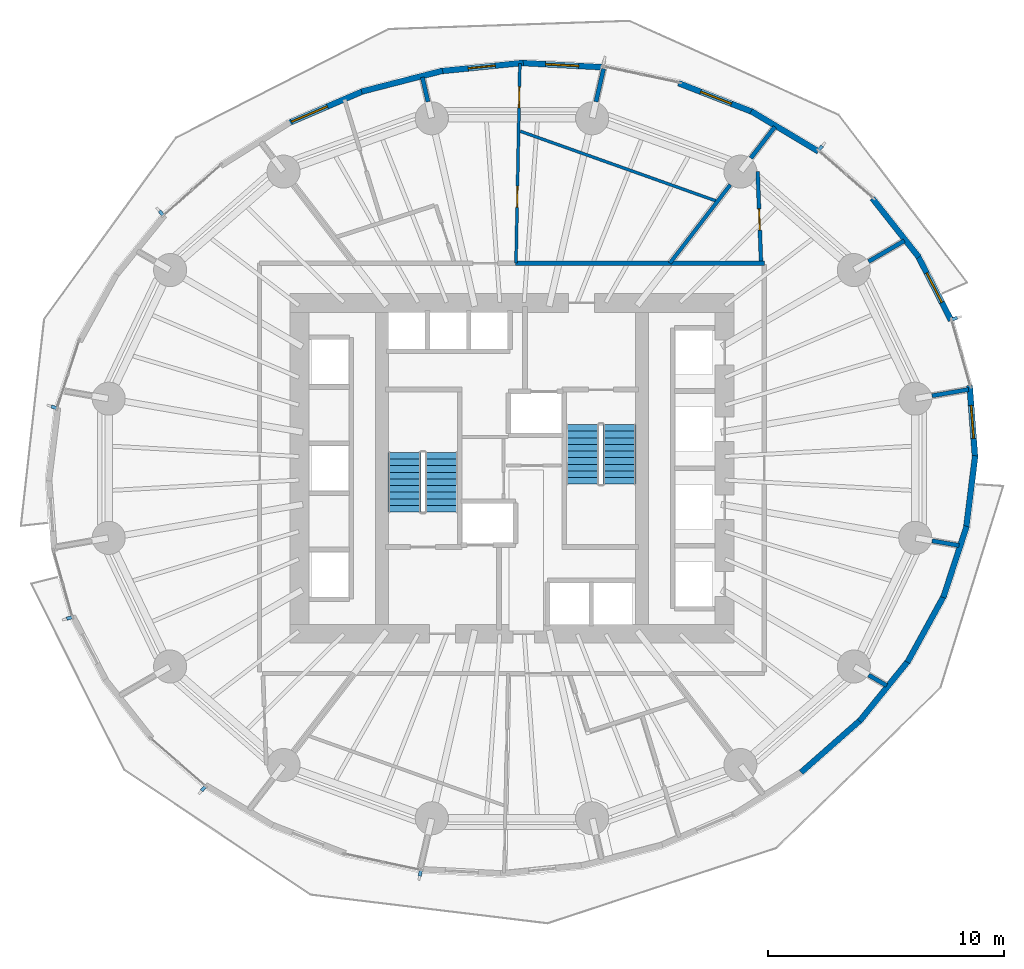
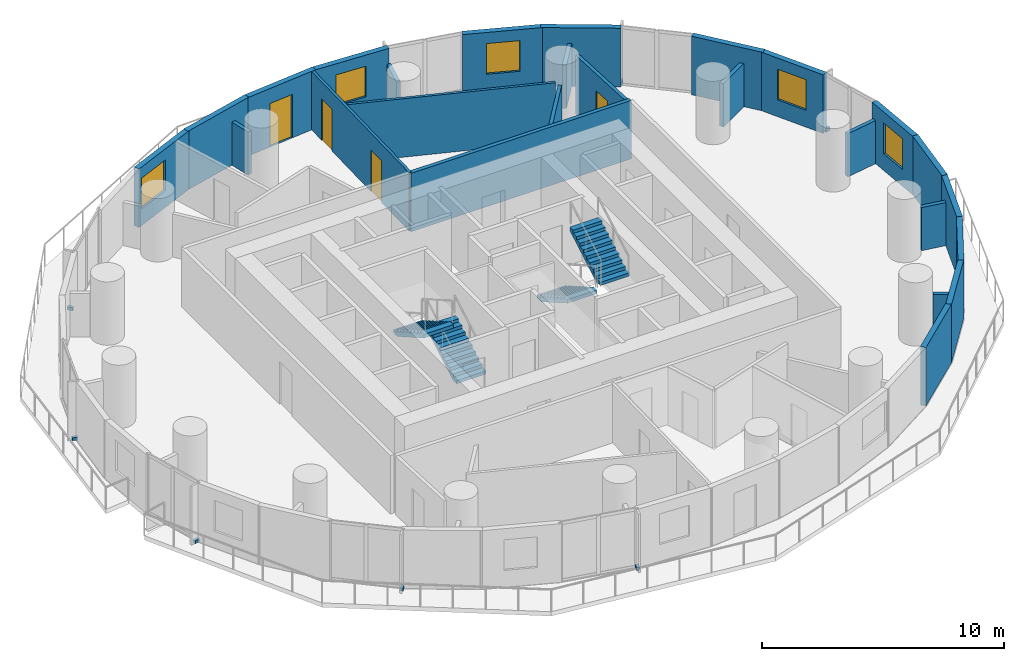
# One storey, part 9 of 14: 26 walls, 7 discrete accessories, 5 windows, 4 doors, 4 stair flights, 9 openings, 2 elements without a shape of their own.
"""IFC4 building model written with IfcOpenShell, lengths in metres."""

import ifcopenshell
import ifcopenshell.guid

model = None  # the IFC model being written
_history = None  # IfcOwnerHistory: only IFC2X3 demands one
_inside = {}  # id of a spatial element -> (the spatial element, [elements in it])
_under = {}  # id of a project, library or spatial element -> (it, [spatial elements below it])
_declared = {}  # id of a project -> (the project, [libraries it declares])
_typed = {}  # id of a type object -> (the type object, [elements of that type])
_made_of = {}  # id of a material, layer set ... -> (it, [elements and type objects made of it])


def new_model(schema):
    """Start an empty IFC model of exactly this schema.

    Asked for "IFC4X3", IfcOpenShell would pick the latest addendum, in which some entities
    have other attributes; the version numbers below select the first issue.
    IFC2X3 requires an IfcOwnerHistory on every rooted entity: one is made here for all.
    """
    global model, _history
    if schema == "IFC4X3":
        model = ifcopenshell.file(schema_version=(4, 3, 0, 0))
    else:
        model = ifcopenshell.file(schema=schema)
    _inside.clear()
    _under.clear()
    _declared.clear()
    _typed.clear()
    _made_of.clear()
    _history = None
    if model.schema == "IFC2X3":
        org = make("IfcOrganization", Name="unknown")
        user = make(
            "IfcPersonAndOrganization",
            ThePerson=make("IfcPerson", FamilyName="unknown"),
            TheOrganization=org,
        )
        app = make(
            "IfcApplication",
            ApplicationDeveloper=org,
            Version="unknown",
            ApplicationFullName="unknown",
            ApplicationIdentifier="unknown",
        )
        _history = make(
            "IfcOwnerHistory",
            OwningUser=user,
            OwningApplication=app,
            ChangeAction="ADDED",
            CreationDate=0,
        )
    return model


def make(cls, **values):
    """One entity of the class cls with the attributes given. An attribute that is None is left unset."""
    return model.create_entity(
        cls, **{name: value for name, value in values.items() if value is not None}
    )


def rooted(cls, **values):
    """An entity with a GlobalId (a new one), such as an element, a storey or a relation."""
    return make(cls, GlobalId=ifcopenshell.guid.new(), OwnerHistory=_history, **values)


def si_unit(unit_type, name, prefix=None):
    """IfcSIUnit, for example si_unit("LENGTHUNIT", "METRE", prefix="MILLI")."""
    return make("IfcSIUnit", UnitType=unit_type, Prefix=prefix, Name=name)


def assignment(units):
    """IfcUnitAssignment: the units of a project."""
    return None if units is None else make("IfcUnitAssignment", Units=units)


def point(xyz):
    """IfcCartesianPoint."""
    return None if xyz is None else make("IfcCartesianPoint", Coordinates=xyz)


def direction(xyz):
    """IfcDirection."""
    return None if xyz is None else make("IfcDirection", DirectionRatios=xyz)


def frame(location, z_axis=None, x_axis=None):
    """IfcAxis2Placement3D, a coordinate frame: its origin and axes. An axis left out is left unset."""
    return make(
        "IfcAxis2Placement3D",
        Location=point(location),
        Axis=direction(z_axis),
        RefDirection=direction(x_axis),
    )


def frame_2d(location, x_axis=None):
    """IfcAxis2Placement2D, a coordinate frame in the plane: its origin and x axis."""
    return make(
        "IfcAxis2Placement2D", Location=point(location), RefDirection=direction(x_axis)
    )


def origin():
    """The frame at (0, 0, 0) with its axes left unset."""
    return frame((0.0, 0.0, 0.0))


def origin_2d():
    """The frame at (0, 0) in the plane with its x axis left unset."""
    return frame_2d((0.0, 0.0))


def place(relative_to, where):
    """IfcLocalPlacement: puts the frame where relative to a parent placement (None: the world)."""
    return make(
        "IfcLocalPlacement", PlacementRelTo=relative_to, RelativePlacement=where
    )


def context(
    kind, dimensions, precision=None, world=None, true_north=None, identifier=None
):
    """IfcGeometricRepresentationContext, for example the 3D "Model" context."""
    return make(
        "IfcGeometricRepresentationContext",
        ContextIdentifier=identifier,
        ContextType=kind,
        CoordinateSpaceDimension=dimensions,
        Precision=precision,
        WorldCoordinateSystem=world,
        TrueNorth=true_north,
    )


def subcontext(parent, identifier, kind, view, scale=None):
    """IfcGeometricRepresentationSubContext, for example "Body" below "Model"."""
    return make(
        "IfcGeometricRepresentationSubContext",
        ContextIdentifier=identifier,
        ContextType=kind,
        ParentContext=parent,
        TargetScale=scale,
        TargetView=view,
    )


def project(units=None, contexts=None):
    """IfcProject with its units and contexts."""
    return rooted(
        "IfcProject",
        Name="project",
        RepresentationContexts=contexts,
        UnitsInContext=assignment(units),
    )


def spatial(cls, under=None, at=None, **own):
    """A site, building, storey or space (cls), placed at a placement, below another one or the project."""
    s = rooted(cls, ObjectPlacement=at, **own)
    if under is not None:
        _under.setdefault(under.id(), (under, []))[1].append(s)
    return s


def polyline(points):
    """IfcPolyline through the points."""
    return make("IfcPolyline", Points=[point(p) for p in points])


def profile(cls, at=None, kind="AREA", **sizes):
    """A parametric profile (cls). Its sizes go by their IFC names, for example OverallWidth=200.0."""
    return make(cls, ProfileType=kind, Position=at, **sizes)


def rectangle(**sizes):
    """IfcRectangleProfileDef."""
    return profile("IfcRectangleProfileDef", **sizes)


def outline(outer, holes=None, kind="AREA"):
    """IfcArbitraryClosedProfileDef: a profile drawn as a closed curve; with holes, ...WithVoids."""
    if holes is None:
        return make("IfcArbitraryClosedProfileDef", ProfileType=kind, OuterCurve=outer)
    return make(
        "IfcArbitraryProfileDefWithVoids",
        ProfileType=kind,
        OuterCurve=outer,
        InnerCurves=holes,
    )


def extrude(swept, where, along, depth):
    """IfcExtrudedAreaSolid: the profile swept, set in the frame where, extruded along a direction by depth."""
    return make(
        "IfcExtrudedAreaSolid",
        SweptArea=swept,
        Position=where,
        ExtrudedDirection=direction(along),
        Depth=depth,
    )


def shape(context_of_items, identifier, shape_type, items):
    """IfcShapeRepresentation: the items that make up one representation, for example the "Body"."""
    return make(
        "IfcShapeRepresentation",
        ContextOfItems=context_of_items,
        RepresentationIdentifier=identifier,
        RepresentationType=shape_type,
        Items=items,
    )


def material(Name=None, Category=None):
    """IfcMaterial."""
    return make("IfcMaterial", Name=Name, Category=Category)


def layer(
    of_material, thickness, ventilated=None, Name=None, Category=None, Priority=None
):
    """IfcMaterialLayer: one layer of a wall or slab, of a material (None: an air gap)."""
    return make(
        "IfcMaterialLayer",
        Material=of_material,
        LayerThickness=thickness,
        IsVentilated=ventilated,
        Name=Name,
        Category=Category,
        Priority=Priority,
    )


def layer_set(layers, Name=None):
    """IfcMaterialLayerSet."""
    return make("IfcMaterialLayerSet", MaterialLayers=layers, LayerSetName=Name)


def made_of(thing, what):
    """Note that an element or type object is made of a material, layer set ...; save() writes the relation."""
    if what is not None:
        _made_of.setdefault(what.id(), (what, []))[1].append(thing)
    return thing


def type_object(cls, material=None, **own):
    """A type object (cls), such as IfcWallType, which elements share."""
    return made_of(rooted(cls, **own), material)


def element(
    cls,
    number,
    at=None,
    inside=None,
    cuts=None,
    type_object=None,
    material=None,
    context=None,
    identifier="Body",
    shape_type=None,
    held_by="IfcProductDefinitionShape",
    body=None,
    shapes=None,
    **own,
):
    """One element of the class cls, such as IfcWall. Its Tag is "e" and its number.

    at: its placement. inside: the storey or other place that contains it. cuts: it is an
    opening in that element (IfcRelVoidsElement). A single representation is given by context,
    identifier, shape_type and body (its items); several are given by shapes. held_by: the class
    of the entity that holds the representations. save() writes the other relations.
    """
    e = rooted(cls, Tag="e%d" % number, ObjectPlacement=at, **own)
    if body is not None:
        shapes = [shape(context, identifier, shape_type, body)]
    if shapes is not None:
        e.Representation = make(held_by, Representations=shapes)
    if inside is not None:
        _inside.setdefault(inside.id(), (inside, []))[1].append(e)
    if cuts is not None:
        rooted(
            "IfcRelVoidsElement", RelatingBuildingElement=cuts, RelatedOpeningElement=e
        )
    if type_object is not None:
        _typed.setdefault(type_object.id(), (type_object, []))[1].append(e)
    return made_of(e, material)


def fill(opening, filler):
    """IfcRelFillsElement: the door or window that sits in an opening."""
    return rooted(
        "IfcRelFillsElement",
        RelatingOpeningElement=opening,
        RelatedBuildingElement=filler,
    )


def aggregate(whole, parts):
    """IfcRelAggregates: a whole, such as a stair, and the parts it consists of."""
    return rooted("IfcRelAggregates", RelatingObject=whole, RelatedObjects=parts)


def save(model, path):
    """Write the relations noted so far, then the file.

    IfcRelAggregates (storeys below a building ...), IfcRelContainedInSpatialStructure (elements
    in a storey), IfcRelDefinesByType, IfcRelAssociatesMaterial and IfcRelDeclares: one each for
    every whole, place, type object, material and project.
    """
    for whole, parts in _under.values():
        aggregate(whole, parts)
    for where, things in _inside.values():
        rooted(
            "IfcRelContainedInSpatialStructure",
            RelatedElements=things,
            RelatingStructure=where,
        )
    for kind, things in _typed.values():
        rooted("IfcRelDefinesByType", RelatedObjects=things, RelatingType=kind)
    for what, things in _made_of.values():
        rooted("IfcRelAssociatesMaterial", RelatedObjects=things, RelatingMaterial=what)
    for by, libraries in _declared.values():
        rooted("IfcRelDeclares", RelatingContext=by, RelatedDefinitions=libraries)
    model.write(path)


model = new_model("IFC4")

# Units and contexts
model_context = context("Model", 3, precision=1e-05, world=origin(), true_north=direction((0.0, 1.0)))
body_context = subcontext(model_context, "Body", "Model", "MODEL_VIEW")
ifc_project = project(units=[si_unit("LENGTHUNIT", "METRE"), si_unit("AREAUNIT", "SQUARE_METRE"), si_unit("VOLUMEUNIT", "CUBIC_METRE"), si_unit("PLANEANGLEUNIT", "RADIAN"), si_unit("MASSUNIT", "GRAM", prefix="KILO")], contexts=[model_context])

# Site, building, storey
site_placement = place(None, origin())
site = spatial("IfcSite", under=ifc_project, at=site_placement, CompositionType="ELEMENT")
building_placement = place(site_placement, origin())
building = spatial("IfcBuilding", under=site, at=building_placement, Name="Veldorim Arch Residences", CompositionType="ELEMENT")
storey_placement = place(building_placement, frame((0.0, 0.0, 50.39990234375)))
storey = spatial("IfcBuildingStorey", under=building, at=storey_placement, Name="L14", CompositionType="ELEMENT", Elevation=50.39990234375)

# Wall, openings, doors
ifc_material_1 = material(Name="Acoustic Gypsum Board", Category="gypsum")
ifc_layer_1 = layer(ifc_material_1, 0.125, Name="Acoustic Stud Room Partition Wall 125")
ifc_layer_set_1 = layer_set([ifc_layer_1], Name="Acoustic Gypsum Board")
wall_type_1 = type_object("IfcWallType", Name="Acoustic Stud Room Partition Wall 125", PredefinedType="PARTITIONING", material=ifc_layer_set_1)
wall_1_placement = place(storey_placement, frame((32.334716796875, 41.129638671875, 0.0), z_axis=(0.0, 0.0, 1.0), x_axis=(-0.019528202577, -0.99980930647, 0.0)))
wall_1 = element("IfcWall", 1, at=wall_1_placement, inside=storey, type_object=wall_type_1, Name="L14 interior wall WL-RES-L14-017", PredefinedType="PARTITIONING", context=body_context, shape_type="SweptSolid", body=[
    extrude(rectangle(XDim=8.451416015625, YDim=0.125, at=frame_2d((4.2255859375, 0.0))), origin(), (0.0, 0.0, 1.0), 2.955078125),
])
opening_1_placement = place(wall_1_placement, frame((0.981201171875, 0.0, 0.0)))
opening_1 = element("IfcOpeningElement", 2, at=opening_1_placement, cuts=wall_1, Name="Opening DR-INT", PredefinedType="OPENING", context=body_context, shape_type="SweptSolid", body=[
    extrude(rectangle(XDim=0.89990234375, YDim=2.10009765625, at=frame_2d((0.449951171875, 1.050048828125))), frame((0.0, 0.072509765625, 0.0), z_axis=(0.0, -1.0, 0.0), x_axis=(1.0, 0.0, 0.0)), (0.0, 0.0, 1.0), 0.14501953125),
])
opening_2_placement = place(wall_1_placement, frame((5.186279296875, 0.0, 0.0)))
opening_2 = element("IfcOpeningElement", 3, at=opening_2_placement, cuts=wall_1, Name="Opening DR-INT", PredefinedType="OPENING", context=body_context, shape_type="SweptSolid", body=[
    extrude(rectangle(XDim=0.89990234375, YDim=2.10009765625, at=frame_2d((0.449951171875, 1.050048828125))), frame((0.0, 0.072509765625, 0.0), z_axis=(0.0, -1.0, 0.0), x_axis=(1.0, 0.0, 0.0)), (0.0, 0.0, 1.0), 0.14501953125),
])
ifc_material_2 = material(Name="Engineered Timber", Category="wood")
door_type_1 = type_object("IfcDoorType", Name="Apartment Internal Room Timber Door 900x2100", OperationType="SINGLE_SWING_LEFT", PredefinedType="DOOR", material=ifc_material_2)
door_1_placement = place(opening_1_placement, origin())
door_1 = element("IfcDoor", 4, at=door_1_placement, inside=storey, type_object=door_type_1, Name="L14 interior door DR-RES-L14-010", OperationType="SINGLE_SWING_RIGHT", OverallHeight=2.10009765625, OverallWidth=0.89990234375, PredefinedType="DOOR", context=body_context, shape_type="SweptSolid", body=[
    extrude(rectangle(XDim=0.89990234375, YDim=2.10009765625, at=frame_2d((0.449951171875, 1.050048828125))), frame((0.0, 0.02490234375, 0.0), z_axis=(0.0, -1.0, 0.0), x_axis=(1.0, 0.0, 0.0)), (0.0, 0.0, 1.0), 0.050048828125),
])
fill(opening_1, door_1)
door_2_placement = place(opening_2_placement, origin())
door_2 = element("IfcDoor", 5, at=door_2_placement, inside=storey, type_object=door_type_1, Name="L14 interior door DR-RES-L14-011", OperationType="SINGLE_SWING_LEFT", OverallHeight=2.10009765625, OverallWidth=0.89990234375, PredefinedType="DOOR", context=body_context, shape_type="SweptSolid", body=[
    extrude(rectangle(XDim=0.89990234375, YDim=2.10009765625, at=frame_2d((0.449951171875, 1.050048828125))), frame((0.0, 0.02490234375, 0.0), z_axis=(0.0, -1.0, 0.0), x_axis=(1.0, 0.0, 0.0)), (0.0, 0.0, 1.0), 0.050048828125),
])
fill(opening_2, door_2)

# Walls
wall_2_placement = place(storey_placement, frame((40.6201171875, 35.3203125, 0.0), z_axis=(0.0, 0.0, 1.0), x_axis=(-0.9420945855, 0.335347270709, 0.0)))
element("IfcWall", 6, at=wall_2_placement, inside=storey, type_object=wall_type_1, Name="L14 interior wall WL-RES-L14-021", PredefinedType="PARTITIONING", context=body_context, shape_type="SweptSolid", body=[
    extrude(rectangle(XDim=8.7734375, YDim=0.125, at=frame_2d((4.38671875, 0.0))), origin(), (0.0, 0.0, 1.0), 2.955078125),
])
ifc_material_3 = material(Name="Lightweight Masonry Block & Gypsum", Category="masonry")
ifc_layer_2 = layer(ifc_material_3, 0.179931640625, Name="Compartment & Corridor Fire-Rated Party Wall 180")
ifc_layer_set_2 = layer_set([ifc_layer_2], Name="Lightweight Masonry Block & Gypsum")
wall_type_2 = type_object("IfcWallType", Name="Compartment & Corridor Fire-Rated Party Wall 180", PredefinedType="PARTITIONING", material=ifc_layer_set_2)
wall_3_placement = place(storey_placement, frame((49.775146484375, 27.068359375, 0.0), z_axis=(0.0, 0.0, 1.0), x_axis=(0.985424214748, 0.170115011059, 0.0)))
element("IfcWall", 7, at=wall_3_placement, inside=storey, type_object=wall_type_2, Name="L14 interior wall WL-PIER-L14-01", PredefinedType="PARTITIONING", context=body_context, shape_type="SweptSolid", body=[
    extrude(rectangle(XDim=1.571533203125, YDim=0.179931640625, at=frame_2d((0.78564453125, 0.0))), origin(), (0.0, 0.0, 1.0), 2.17822265625),
])
wall_4_placement = place(storey_placement, frame((47.090576171875, 32.750244140625, 0.0), z_axis=(0.0, 0.0, 1.0), x_axis=(0.865027552002, 0.501724360857, 0.0)))
element("IfcWall", 8, at=wall_4_placement, inside=storey, type_object=wall_type_2, Name="L14 interior wall WL-PIER-L14-02", PredefinedType="PARTITIONING", context=body_context, shape_type="SweptSolid", body=[
    extrude(rectangle(XDim=1.747802734375, YDim=0.179931640625, at=frame_2d((0.8740234375, 0.0))), origin(), (0.0, 0.0, 1.0), 2.17822265625),
])
wall_5_placement = place(storey_placement, frame((42.106201171875, 37.125732421875, 0.0), z_axis=(0.0, 0.0, 1.0), x_axis=(0.610021184497, 0.792385104898, 0.0)))
element("IfcWall", 9, at=wall_5_placement, inside=storey, type_object=wall_type_2, Name="L14 interior wall WL-PIER-L14-03", PredefinedType="PARTITIONING", context=body_context, shape_type="SweptSolid", body=[
    extrude(rectangle(XDim=1.672119140625, YDim=0.179931640625, at=frame_2d((0.8359375, 0.0))), origin(), (0.0, 0.0, 1.0), 2.17822265625),
])
wall_6_placement = place(storey_placement, frame((35.555419921875, 39.51171875, 0.0), z_axis=(0.0, 0.0, 1.0), x_axis=(0.223463944202, 0.974712196313, 0.0)))
element("IfcWall", 10, at=wall_6_placement, inside=storey, type_object=wall_type_2, Name="L14 interior wall WL-PIER-L14-04", PredefinedType="PARTITIONING", context=body_context, shape_type="SweptSolid", body=[
    extrude(rectangle(XDim=1.43115234375, YDim=0.179931640625, at=frame_2d((0.715576171875, 0.0))), origin(), (0.0, 0.0, 1.0), 2.17822265625),
])
wall_7_placement = place(storey_placement, frame((28.444580078125, 39.51171875, 0.0), z_axis=(0.0, 0.0, 1.0), x_axis=(-0.223348866575, 0.974738572028, 0.0)))
element("IfcWall", 11, at=wall_7_placement, inside=storey, type_object=wall_type_2, Name="L14 interior wall WL-PIER-L14-05", PredefinedType="PARTITIONING", context=body_context, shape_type="SweptSolid", body=[
    extrude(rectangle(XDim=1.0625, YDim=0.179931640625, at=frame_2d((0.53125, 0.0))), origin(), (0.0, 0.0, 1.0), 2.17822265625),
])
wall_8_placement = place(storey_placement, frame((47.090576171875, 15.249755859375, 0.0), z_axis=(0.0, 0.0, 1.0), x_axis=(0.86495471492, -0.501849918937, 0.0)))
element("IfcWall", 12, at=wall_8_placement, inside=storey, type_object=wall_type_2, Name="L14 interior wall WL-PIER-L14-15", PredefinedType="PARTITIONING", context=body_context, shape_type="SweptSolid", body=[
    extrude(rectangle(XDim=0.886962890625, YDim=0.179931640625, at=frame_2d((0.443359375, 0.0))), origin(), (0.0, 0.0, 1.0), 2.17822265625),
])
wall_9_placement = place(storey_placement, frame((49.775146484375, 20.931640625, 0.0), z_axis=(0.0, 0.0, 1.0), x_axis=(0.985428537387, -0.170089969436, 0.0)))
element("IfcWall", 13, at=wall_9_placement, inside=storey, type_object=wall_type_2, Name="L14 interior wall WL-PIER-L14-16", PredefinedType="PARTITIONING", context=body_context, shape_type="SweptSolid", body=[
    extrude(rectangle(XDim=1.1611328125, YDim=0.179931640625, at=frame_2d((0.58056640625, 0.0))), origin(), (0.0, 0.0, 1.0), 2.17822265625),
])
wall_10_placement = place(storey_placement, frame((32.149658203125, 32.679931640625, 0.0), z_axis=(0.0, 0.0, 1.0), x_axis=(1.0, 0.0, 0.0)))
element("IfcWall", 14, at=wall_10_placement, inside=storey, type_object=wall_type_2, Name="L14 interior wall WL-RES-L14-002", PredefinedType="PARTITIONING", context=body_context, shape_type="SweptSolid", body=[
    extrude(rectangle(XDim=10.5302734375, YDim=0.179931640625, at=frame_2d((5.26513671875, 0.0))), origin(), (0.0, 0.0, 1.0), 2.955078125),
])

# Wall, opening, window
ifc_material_4 = material(Name="Precast concrete C40/50", Category="concrete")
ifc_layer_3 = layer(ifc_material_4, 0.25, Name="Tower Terracotta Spandrel & Pier Wall 250")
ifc_layer_set_3 = layer_set([ifc_layer_3], Name="Precast concrete C40/50")
wall_type_3 = type_object("IfcWallType", Name="Tower Terracotta Spandrel & Pier Wall 250", PredefinedType="SOLIDWALL", material=ifc_layer_set_3)
wall_11_placement = place(storey_placement, frame((49.157470703125, 33.03125, 0.0), z_axis=(0.0, 0.0, 1.0), x_axis=(0.457448772631, -0.889235975666, 0.0)))
wall_11 = element("IfcWall", 15, at=wall_11_placement, inside=storey, type_object=wall_type_3, Name="L14 terracotta facade wall 02", PredefinedType="SOLIDWALL", context=body_context, shape_type="SweptSolid", body=[
    extrude(rectangle(XDim=3.12060546875, YDim=0.25, at=frame_2d((1.560302734375, 0.0))), origin(), (0.0, 0.0, 1.0), 2.960205078125),
])
opening_3_placement = place(wall_11_placement, frame((0.860107421875, 0.0, 0.85009765625)))
opening_3 = element("IfcOpeningElement", 16, at=opening_3_placement, cuts=wall_11, Name="Opening WN-02", PredefinedType="OPENING", context=body_context, shape_type="SweptSolid", body=[
    extrude(rectangle(XDim=1.39990234375, YDim=1.550048828125, at=frame_2d((0.699951171875, 0.77490234375))), frame((0.0, 0.135009765625, 0.0), z_axis=(0.0, -1.0, 0.0), x_axis=(1.0, 0.0, 0.0)), (0.0, 0.0, 1.0), 0.27001953125),
])
ifc_material_5 = material(Name="Laminated Low-E Glass", Category="glass")
window_type_1 = type_object("IfcWindowType", Name="Residential Casement Window 1400x1550", PartitioningType="SINGLE_PANEL", PredefinedType="WINDOW", material=ifc_material_5)
window_1_placement = place(opening_3_placement, origin())
window_1 = element("IfcWindow", 17, at=window_1_placement, inside=storey, type_object=window_type_1, Name="L14 solar-control facade window 02", OverallHeight=1.550048828125, OverallWidth=1.39990234375, PartitioningType="SINGLE_PANEL", PredefinedType="WINDOW", context=body_context, shape_type="SweptSolid", body=[
    extrude(rectangle(XDim=1.39990234375, YDim=1.550048828125, at=frame_2d((0.699951171875, 0.77490234375))), frame((0.0, 0.030029296875, 0.0), z_axis=(0.0, -1.0, 0.0), x_axis=(1.0, 0.0, 0.0)), (0.0, 0.0, 1.0), 0.06005859375),
])
fill(opening_3, window_1)

# Walls
wall_12_placement = place(storey_placement, frame((47.25146484375, 35.42626953125, 0.0), z_axis=(0.0, 0.0, 1.0), x_axis=(0.619871206143, -0.784703566829, 0.0)))
element("IfcWall", 18, at=wall_12_placement, inside=storey, type_object=wall_type_3, Name="L14 terracotta facade wall 03", PredefinedType="SOLIDWALL", context=body_context, shape_type="SweptSolid", body=[
    extrude(rectangle(XDim=3.174072265625, YDim=0.25, at=frame_2d((1.5869140625, 0.0))), origin(), (0.0, 0.0, 1.0), 2.960205078125),
])
wall_13_placement = place(storey_placement, frame((42.121826171875, 39.115966796875, 0.0), z_axis=(0.0, 0.0, 1.0), x_axis=(0.858069400356, -0.513533742001, 0.0)))
element("IfcWall", 19, at=wall_13_placement, inside=storey, type_object=wall_type_3, Name="L14 terracotta facade wall 05", PredefinedType="SOLIDWALL", context=body_context, shape_type="SweptSolid", body=[
    extrude(rectangle(XDim=3.32275390625, YDim=0.25, at=frame_2d((1.661376953125, 0.0))), origin(), (0.0, 0.0, 1.0), 2.960205078125),
])

# Wall, opening, window
wall_14_placement = place(storey_placement, frame((39.052978515625, 40.298095703125, 0.0), z_axis=(0.0, 0.0, 1.0), x_axis=(0.932140755825, -0.362096135479, 0.0)))
wall_14 = element("IfcWall", 20, at=wall_14_placement, inside=storey, type_object=wall_type_3, Name="L14 terracotta facade wall 06", PredefinedType="SOLIDWALL", context=body_context, shape_type="SweptSolid", body=[
    extrude(rectangle(XDim=3.39892578125, YDim=0.25, at=frame_2d((1.699462890625, 0.0))), origin(), (0.0, 0.0, 1.0), 2.960205078125),
])
opening_4_placement = place(wall_14_placement, frame((1.0, 0.0, 0.85009765625)))
opening_4 = element("IfcOpeningElement", 21, at=opening_4_placement, cuts=wall_14, Name="Opening WN-02", PredefinedType="OPENING", context=body_context, shape_type="SweptSolid", body=[
    extrude(rectangle(XDim=1.39990234375, YDim=1.550048828125, at=frame_2d((0.699951171875, 0.77490234375))), frame((0.0, 0.135009765625, 0.0), z_axis=(0.0, -1.0, 0.0), x_axis=(1.0, 0.0, 0.0)), (0.0, 0.0, 1.0), 0.27001953125),
])
window_2_placement = place(opening_4_placement, origin())
window_2 = element("IfcWindow", 22, at=window_2_placement, inside=storey, type_object=window_type_1, Name="L14 solar-control facade window 06", OverallHeight=1.550048828125, OverallWidth=1.39990234375, PartitioningType="SINGLE_PANEL", PredefinedType="WINDOW", context=body_context, shape_type="SweptSolid", body=[
    extrude(rectangle(XDim=1.39990234375, YDim=1.550048828125, at=frame_2d((0.699951171875, 0.77490234375))), frame((0.0, 0.030029296875, 0.0), z_axis=(0.0, -1.0, 0.0), x_axis=(1.0, 0.0, 0.0)), (0.0, 0.0, 1.0), 0.06005859375),
])
fill(opening_4, window_2)

wall_15_placement = place(storey_placement, frame((32.368896484375, 41.156494140625, 0.0), z_axis=(0.0, 0.0, 1.0), x_axis=(0.99860782827, -0.052748510102, 0.0)))
wall_15 = element("IfcWall", 23, at=wall_15_placement, inside=storey, type_object=wall_type_3, Name="L14 terracotta facade wall 08", PredefinedType="SOLIDWALL", context=body_context, shape_type="SweptSolid", body=[
    extrude(rectangle(XDim=3.512939453125, YDim=0.25, at=frame_2d((1.75634765625, 0.0))), origin(), (0.0, 0.0, 1.0), 2.960205078125),
])
opening_5_placement = place(wall_15_placement, frame((1.055908203125, 0.0, 0.85009765625)))
opening_5 = element("IfcOpeningElement", 24, at=opening_5_placement, cuts=wall_15, Name="Opening WN-02", PredefinedType="OPENING", context=body_context, shape_type="SweptSolid", body=[
    extrude(rectangle(XDim=1.39990234375, YDim=1.550048828125, at=frame_2d((0.699951171875, 0.77490234375))), frame((0.0, 0.135009765625, 0.0), z_axis=(0.0, -1.0, 0.0), x_axis=(1.0, 0.0, 0.0)), (0.0, 0.0, 1.0), 0.27001953125),
])
window_3_placement = place(opening_5_placement, origin())
window_3 = element("IfcWindow", 25, at=window_3_placement, inside=storey, type_object=window_type_1, Name="L14 solar-control facade window 08", OverallHeight=1.550048828125, OverallWidth=1.39990234375, PartitioningType="SINGLE_PANEL", PredefinedType="WINDOW", context=body_context, shape_type="SweptSolid", body=[
    extrude(rectangle(XDim=1.39990234375, YDim=1.550048828125, at=frame_2d((0.699951171875, 0.77490234375))), frame((0.0, 0.030029296875, 0.0), z_axis=(0.0, -1.0, 0.0), x_axis=(1.0, 0.0, 0.0)), (0.0, 0.0, 1.0), 0.06005859375),
])
fill(opening_5, window_3)

# Wall, opening, door
wall_16_placement = place(storey_placement, frame((28.957275390625, 40.8056640625, 0.0), z_axis=(0.0, 0.0, 1.0), x_axis=(0.994996115016, 0.099913618207, 0.0)))
wall_16 = element("IfcWall", 26, at=wall_16_placement, inside=storey, type_object=wall_type_3, Name="L14 terracotta facade wall 09", PredefinedType="SOLIDWALL", context=body_context, shape_type="SweptSolid", body=[
    extrude(rectangle(XDim=3.538330078125, YDim=0.25, at=frame_2d((1.76904296875, 0.0))), origin(), (0.0, 0.0, 1.0), 2.960205078125),
])
opening_6_placement = place(wall_16_placement, frame((1.194091796875, 0.0, 0.0)))
opening_6 = element("IfcOpeningElement", 27, at=opening_6_placement, cuts=wall_16, Name="Opening BL-DR", PredefinedType="OPENING", context=body_context, shape_type="SweptSolid", body=[
    extrude(rectangle(XDim=1.14990234375, YDim=2.199951171875, at=frame_2d((0.574951171875, 1.10009765625))), frame((0.0, 0.135009765625, 0.0), z_axis=(0.0, -1.0, 0.0), x_axis=(1.0, 0.0, 0.0)), (0.0, 0.0, 1.0), 0.27001953125),
])
ifc_material_6 = material(Name="Aluminium & Low-E Glass", Category="aluminium")
door_type_2 = type_object("IfcDoorType", Name="Glazed Planted Balcony Door 1150x2200", OperationType="SINGLE_SWING_LEFT", PredefinedType="DOOR", material=ifc_material_6)
door_3_placement = place(opening_6_placement, origin())
door_3 = element("IfcDoor", 28, at=door_3_placement, inside=storey, type_object=door_type_2, Name="L14 glazed outdoor terrace door BALC-1", OperationType="SINGLE_SWING_LEFT", OverallHeight=2.199951171875, OverallWidth=1.14990234375, PredefinedType="DOOR", context=body_context, shape_type="SweptSolid", body=[
    extrude(rectangle(XDim=1.14990234375, YDim=2.199951171875, at=frame_2d((0.574951171875, 1.10009765625))), frame((0.0, 0.02490234375, 0.0), z_axis=(0.0, -1.0, 0.0), x_axis=(1.0, 0.0, 0.0)), (0.0, 0.0, 1.0), 0.050048828125),
])
fill(opening_6, door_3)

# Wall
wall_17_placement = place(storey_placement, frame((25.6376953125, 39.943115234375, 0.0), z_axis=(0.0, 0.0, 1.0), x_axis=(0.968459637573, 0.249170484594, 0.0)))
element("IfcWall", 29, at=wall_17_placement, inside=storey, type_object=wall_type_3, Name="L14 terracotta facade wall 10", PredefinedType="SOLIDWALL", context=body_context, shape_type="SweptSolid", body=[
    extrude(rectangle(XDim=3.5380859375, YDim=0.25, at=frame_2d((1.76904296875, 0.0))), origin(), (0.0, 0.0, 1.0), 2.960205078125),
])

# Wall, opening, window
wall_18_placement = place(storey_placement, frame((22.511474609375, 38.595458984375, 0.0), z_axis=(0.0, 0.0, 1.0), x_axis=(0.919263615987, 0.393642482872, 0.0)))
wall_18 = element("IfcWall", 30, at=wall_18_placement, inside=storey, type_object=wall_type_3, Name="L14 terracotta facade wall 11", PredefinedType="SOLIDWALL", context=body_context, shape_type="SweptSolid", body=[
    extrude(rectangle(XDim=3.512939453125, YDim=0.25, at=frame_2d((1.75634765625, 0.0))), origin(), (0.0, 0.0, 1.0), 2.960205078125),
])
opening_7_placement = place(wall_18_placement, frame((0.175048828125, 0.0, 0.85009765625)))
opening_7 = element("IfcOpeningElement", 31, at=opening_7_placement, cuts=wall_18, Name="Opening WN-03", PredefinedType="OPENING", context=body_context, shape_type="SweptSolid", body=[
    extrude(rectangle(XDim=1.64990234375, YDim=1.550048828125, at=frame_2d((0.824951171875, 0.77490234375))), frame((0.0, 0.135009765625, 0.0), z_axis=(0.0, -1.0, 0.0), x_axis=(1.0, 0.0, 0.0)), (0.0, 0.0, 1.0), 0.27001953125),
])
ifc_material_7 = material(Name="Laminated Low-E Glass", Category="glass")
window_type_2 = type_object("IfcWindowType", Name="Residential Wide Window 1650x1550", PartitioningType="SINGLE_PANEL", PredefinedType="WINDOW", material=ifc_material_7)
window_4_placement = place(opening_7_placement, origin())
window_4 = element("IfcWindow", 32, at=window_4_placement, inside=storey, type_object=window_type_2, Name="L14 solar-control facade window 11", OverallHeight=1.550048828125, OverallWidth=1.64990234375, PartitioningType="SINGLE_PANEL", PredefinedType="WINDOW", context=body_context, shape_type="SweptSolid", body=[
    extrude(rectangle(XDim=1.64990234375, YDim=1.550048828125, at=frame_2d((0.824951171875, 0.77490234375))), frame((0.0, 0.030029296875, 0.0), z_axis=(0.0, -1.0, 0.0), x_axis=(1.0, 0.0, 0.0)), (0.0, 0.0, 1.0), 0.06005859375),
])
fill(opening_7, window_4)

# Walls
wall_19_placement = place(storey_placement, frame((46.787841796875, 13.37841796875, 0.0), z_axis=(0.0, 0.0, 1.0), x_axis=(-0.750235983639, -0.661170151211, 0.0)))
element("IfcWall", 33, at=wall_19_placement, inside=storey, type_object=wall_type_3, Name="L14 terracotta facade wall 31", PredefinedType="SOLIDWALL", context=body_context, shape_type="SweptSolid", body=[
    extrude(rectangle(XDim=3.39892578125, YDim=0.25, at=frame_2d((1.699462890625, 0.0))), origin(), (0.0, 0.0, 1.0), 2.960205078125),
])
wall_20_placement = place(storey_placement, frame((48.7998046875, 15.883056640625, 0.0), z_axis=(0.0, 0.0, 1.0), x_axis=(-0.62854914488, -0.777769871151, 0.0)))
element("IfcWall", 34, at=wall_20_placement, inside=storey, type_object=wall_type_3, Name="L14 terracotta facade wall 32", PredefinedType="SOLIDWALL", context=body_context, shape_type="SweptSolid", body=[
    extrude(rectangle(XDim=3.322998046875, YDim=0.25, at=frame_2d((1.66162109375, 0.0))), origin(), (0.0, 0.0, 1.0), 2.960205078125),
])
wall_21_placement = place(storey_placement, frame((50.2998046875, 18.633544921875, 0.0), z_axis=(0.0, 0.0, 1.0), x_axis=(-0.481612512773, -0.876384269337, 0.0)))
element("IfcWall", 35, at=wall_21_placement, inside=storey, type_object=wall_type_3, Name="L14 terracotta facade wall 33", PredefinedType="SOLIDWALL", context=body_context, shape_type="SweptSolid", body=[
    extrude(rectangle(XDim=3.244384765625, YDim=0.25, at=frame_2d((1.6220703125, 0.0))), origin(), (0.0, 0.0, 1.0), 2.960205078125),
])
wall_22_placement = place(storey_placement, frame((51.243408203125, 21.546142578125, 0.0), z_axis=(0.0, 0.0, 1.0), x_axis=(-0.31144705651, -0.950263506082, 0.0)))
element("IfcWall", 36, at=wall_22_placement, inside=storey, type_object=wall_type_3, Name="L14 terracotta facade wall 34", PredefinedType="SOLIDWALL", context=body_context, shape_type="SweptSolid", body=[
    extrude(rectangle(XDim=3.174072265625, YDim=0.25, at=frame_2d((1.5869140625, 0.0))), origin(), (0.0, 0.0, 1.0), 2.960205078125),
])
wall_23_placement = place(storey_placement, frame((51.6025390625, 24.5322265625, 0.0), z_axis=(0.0, 0.0, 1.0), x_axis=(-0.122985115192, -0.992408515401, 0.0)))
element("IfcWall", 37, at=wall_23_placement, inside=storey, type_object=wall_type_3, Name="L14 terracotta facade wall 35", PredefinedType="SOLIDWALL", context=body_context, shape_type="SweptSolid", body=[
    extrude(rectangle(XDim=3.12060546875, YDim=0.25, at=frame_2d((1.560302734375, 0.0))), origin(), (0.0, 0.0, 1.0), 2.960205078125),
])

# Wall, opening, window
wall_24_placement = place(storey_placement, frame((51.366455078125, 27.5009765625, 0.0), z_axis=(0.0, 0.0, 1.0), x_axis=(0.075488770926, -0.997146651934, 0.0)))
wall_24 = element("IfcWall", 38, at=wall_24_placement, inside=storey, type_object=wall_type_3, Name="L14 terracotta facade wall 36", PredefinedType="SOLIDWALL", context=body_context, shape_type="SweptSolid", body=[
    extrude(rectangle(XDim=3.091796875, YDim=0.25, at=frame_2d((1.5458984375, 0.0))), origin(), (0.0, 0.0, 1.0), 2.960205078125),
])
opening_8_placement = place(wall_24_placement, frame((0.845947265625, 0.0, 0.85009765625)))
opening_8 = element("IfcOpeningElement", 39, at=opening_8_placement, cuts=wall_24, Name="Opening WN-02", PredefinedType="OPENING", context=body_context, shape_type="SweptSolid", body=[
    extrude(rectangle(XDim=1.39990234375, YDim=1.550048828125, at=frame_2d((0.699951171875, 0.77490234375))), frame((0.0, 0.135009765625, 0.0), z_axis=(0.0, -1.0, 0.0), x_axis=(1.0, 0.0, 0.0)), (0.0, 0.0, 1.0), 0.27001953125),
])
window_5_placement = place(opening_8_placement, origin())
window_5 = element("IfcWindow", 40, at=window_5_placement, inside=storey, type_object=window_type_1, Name="L14 solar-control facade window 36", OverallHeight=1.550048828125, OverallWidth=1.39990234375, PartitioningType="SINGLE_PANEL", PredefinedType="WINDOW", context=body_context, shape_type="SweptSolid", body=[
    extrude(rectangle(XDim=1.39990234375, YDim=1.550048828125, at=frame_2d((0.699951171875, 0.77490234375))), frame((0.0, 0.030029296875, 0.0), z_axis=(0.0, -1.0, 0.0), x_axis=(1.0, 0.0, 0.0)), (0.0, 0.0, 1.0), 0.06005859375),
])
fill(opening_8, window_5)

# Wall, opening, door
ifc_material_8 = material(Name="Moisture-Resistant Gypsum & Stud", Category="gypsum")
ifc_layer_4 = layer(ifc_material_8, 0.159912109375, Name="Wet-Area Moisture-Resistant Plumbing Wall 160")
ifc_layer_set_4 = layer_set([ifc_layer_4], Name="Moisture-Resistant Gypsum & Stud")
wall_type_4 = type_object("IfcWallType", Name="Wet-Area Moisture-Resistant Plumbing Wall 160", PredefinedType="PLUMBINGWALL", material=ifc_layer_set_4)
wall_25_placement = place(storey_placement, frame((42.537109375, 32.77978515625, 0.0), z_axis=(0.0, 0.0, 1.0), x_axis=(-0.037109528702, 0.99931120422, 0.0)))
wall_25 = element("IfcWall", 41, at=wall_25_placement, inside=storey, type_object=wall_type_4, Name="L14 interior wall WL-RES-L14-014", PredefinedType="PLUMBINGWALL", context=body_context, shape_type="SweptSolid", body=[
    extrude(rectangle(XDim=3.782958984375, YDim=0.159912109375, at=frame_2d((1.8916015625, 0.0))), origin(), (0.0, 0.0, 1.0), 2.955078125),
])
opening_9_placement = place(wall_25_placement, frame((1.301513671875, 0.0, 0.0)))
opening_9 = element("IfcOpeningElement", 42, at=opening_9_placement, cuts=wall_25, Name="Opening DR-WC", PredefinedType="OPENING", context=body_context, shape_type="SweptSolid", body=[
    extrude(rectangle(XDim=0.89990234375, YDim=2.10009765625, at=frame_2d((0.449951171875, 1.050048828125))), frame((0.0, 0.08984375, 0.0), z_axis=(0.0, -1.0, 0.0), x_axis=(1.0, 0.0, 0.0)), (0.0, 0.0, 1.0), 0.179931640625),
])
ifc_material_9 = material(Name="Laminate Timber", Category="wood")
door_type_3 = type_object("IfcDoorType", Name="Bathroom & Accessible WC Moisture-Sealed Door 900x2100", OperationType="SINGLE_SWING_LEFT", PredefinedType="DOOR", material=ifc_material_9)
door_4_placement = place(opening_9_placement, origin())
door_4 = element("IfcDoor", 43, at=door_4_placement, inside=storey, type_object=door_type_3, Name="L14 interior door DR-RES-L14-007", OperationType="SINGLE_SWING_LEFT", OverallHeight=2.10009765625, OverallWidth=0.89990234375, PredefinedType="DOOR", context=body_context, shape_type="SweptSolid", body=[
    extrude(rectangle(XDim=0.89990234375, YDim=2.10009765625, at=frame_2d((0.449951171875, 1.050048828125))), frame((0.0, 0.02490234375, 0.0), z_axis=(0.0, -1.0, 0.0), x_axis=(1.0, 0.0, 0.0)), (0.0, 0.0, 1.0), 0.050048828125),
])
fill(opening_9, door_4)

# Wall
wall_26_placement = place(storey_placement, frame((38.683349609375, 32.679931640625, 0.0), z_axis=(0.0, 0.0, 1.0), x_axis=(0.610034370134, 0.792374953703, 0.0)))
element("IfcWall", 44, at=wall_26_placement, inside=storey, type_object=wall_type_4, Name="L14 interior wall WL-RES-L14-015", PredefinedType="PLUMBINGWALL", context=body_context, shape_type="SweptSolid", body=[
    extrude(rectangle(XDim=4.192138671875, YDim=0.159912109375, at=frame_2d((2.09619140625, 0.0))), origin(), (0.0, 0.0, 1.0), 2.17822265625),
])

# Stair, stair flights
ifc_material_10 = material(Name="Concrete C40/50", Category="concrete")
stair_type = type_object("IfcStairType", Name="Reinforced Concrete Dogleg Exit Staircase", PredefinedType="HALF_TURN_STAIR", material=ifc_material_10)
stair_1_placement = place(storey_placement, origin())
stair_1 = element("IfcStair", 45, at=stair_1_placement, inside=storey, type_object=stair_type, Name="L14 Exit Staircase ST-1", PredefinedType="HALF_TURN_STAIR")
ifc_material_11 = material(Name="Concrete C40/50", Category="concrete")
stair_flight_type = type_object("IfcStairFlightType", Name="Reinforced Concrete Stair Flight 1400", PredefinedType="STRAIGHT", material=ifc_material_11)
stair_flight_1_placement = place(storey_placement, frame((29.010009765625, 22.14990234375, 0.0), z_axis=(0.0, 0.0, 1.0), x_axis=(0.0, 1.0, 0.0)))
stair_flight_1 = element("IfcStairFlight", 46, at=stair_flight_1_placement, type_object=stair_flight_type, Name="ST-1 flight 1", NumberOfRisers=10, NumberOfTreads=9, PredefinedType="STRAIGHT", RiserHeight=0.16, TreadLength=0.28, context=body_context, shape_type="SweptSolid", body=[
    extrude(outline(polyline([(0.0, 0.0), (0.0, 0.159912109375), (0.280029296875, 0.159912109375), (0.280029296875, 0.320068359375), (0.56005859375, 0.320068359375), (0.56005859375, 0.47998046875), (0.840087890625, 0.47998046875), (0.840087890625, 0.639892578125), (1.1201171875, 0.639892578125), (1.1201171875, 0.800048828125), (1.39990234375, 0.800048828125), (1.39990234375, 0.9599609375), (1.679931640625, 0.9599609375), (1.679931640625, 1.1201171875), (1.9599609375, 1.1201171875), (1.9599609375, 1.280029296875), (2.239990234375, 1.280029296875), (2.239990234375, 1.43994140625), (2.52001953125, 1.43994140625), (2.52001953125, 1.60009765625), (2.52001953125, 1.255859375), (0.322265625, 0.0), (0.0, 0.0)])), frame((0.0, 0.699951171875, 0.0), z_axis=(0.0, -1.0, 0.0), x_axis=(1.0, 0.0, 0.0)), (0.0, 0.0, 1.0), 1.39990234375),
])
stair_flight_2_placement = place(storey_placement, frame((27.449951171875, 24.669921875, 1.60009765625), z_axis=(0.0, 0.0, 1.0), x_axis=(0.0, -1.0, 0.0)))
stair_flight_2 = element("IfcStairFlight", 47, at=stair_flight_2_placement, type_object=stair_flight_type, Name="ST-1 flight 2", NumberOfRisers=10, NumberOfTreads=9, PredefinedType="STRAIGHT", RiserHeight=0.16, TreadLength=0.28, context=body_context, shape_type="SweptSolid", body=[
    extrude(outline(polyline([(0.0, 0.0), (0.0, 0.159912109375), (0.280029296875, 0.159912109375), (0.280029296875, 0.320068359375), (0.56005859375, 0.320068359375), (0.56005859375, 0.47998046875), (0.840087890625, 0.47998046875), (0.840087890625, 0.639892578125), (1.1201171875, 0.639892578125), (1.1201171875, 0.800048828125), (1.39990234375, 0.800048828125), (1.39990234375, 0.9599609375), (1.679931640625, 0.9599609375), (1.679931640625, 1.1201171875), (1.9599609375, 1.1201171875), (1.9599609375, 1.280029296875), (2.239990234375, 1.280029296875), (2.239990234375, 1.43994140625), (2.52001953125, 1.43994140625), (2.52001953125, 1.60009765625), (2.52001953125, 1.255859375), (0.322265625, 0.0), (0.0, 0.0)])), frame((0.0, 0.699951171875, 0.0), z_axis=(0.0, -1.0, 0.0), x_axis=(1.0, 0.0, 0.0)), (0.0, 0.0, 1.0), 1.39990234375),
])
aggregate(stair_1, [stair_flight_1, stair_flight_2])

stair_2_placement = place(storey_placement, origin())
stair_2 = element("IfcStair", 48, at=stair_2_placement, inside=storey, type_object=stair_type, Name="L14 Exit Staircase ST-2", PredefinedType="HALF_TURN_STAIR")
stair_flight_3_placement = place(storey_placement, frame((34.989990234375, 25.85009765625, 0.0), z_axis=(0.0, 0.0, 1.0), x_axis=(0.0, -1.0, 0.0)))
stair_flight_3 = element("IfcStairFlight", 49, at=stair_flight_3_placement, type_object=stair_flight_type, Name="ST-2 flight 1", NumberOfRisers=10, NumberOfTreads=9, PredefinedType="STRAIGHT", RiserHeight=0.16, TreadLength=0.28, context=body_context, shape_type="SweptSolid", body=[
    extrude(outline(polyline([(0.0, 0.0), (0.0, 0.159912109375), (0.280029296875, 0.159912109375), (0.280029296875, 0.320068359375), (0.56005859375, 0.320068359375), (0.56005859375, 0.47998046875), (0.840087890625, 0.47998046875), (0.840087890625, 0.639892578125), (1.1201171875, 0.639892578125), (1.1201171875, 0.800048828125), (1.39990234375, 0.800048828125), (1.39990234375, 0.9599609375), (1.679931640625, 0.9599609375), (1.679931640625, 1.1201171875), (1.9599609375, 1.1201171875), (1.9599609375, 1.280029296875), (2.239990234375, 1.280029296875), (2.239990234375, 1.43994140625), (2.52001953125, 1.43994140625), (2.52001953125, 1.60009765625), (2.52001953125, 1.255859375), (0.322265625, 0.0), (0.0, 0.0)])), frame((0.0, 0.699951171875, 0.0), z_axis=(0.0, -1.0, 0.0), x_axis=(1.0, 0.0, 0.0)), (0.0, 0.0, 1.0), 1.39990234375),
])
stair_flight_4_placement = place(storey_placement, frame((36.550048828125, 23.330078125, 1.60009765625), z_axis=(0.0, 0.0, 1.0), x_axis=(0.0, 1.0, 0.0)))
stair_flight_4 = element("IfcStairFlight", 50, at=stair_flight_4_placement, type_object=stair_flight_type, Name="ST-2 flight 2", NumberOfRisers=10, NumberOfTreads=9, PredefinedType="STRAIGHT", RiserHeight=0.16, TreadLength=0.28, context=body_context, shape_type="SweptSolid", body=[
    extrude(outline(polyline([(0.0, 0.0), (0.0, 0.159912109375), (0.280029296875, 0.159912109375), (0.280029296875, 0.320068359375), (0.56005859375, 0.320068359375), (0.56005859375, 0.47998046875), (0.840087890625, 0.47998046875), (0.840087890625, 0.639892578125), (1.1201171875, 0.639892578125), (1.1201171875, 0.800048828125), (1.39990234375, 0.800048828125), (1.39990234375, 0.9599609375), (1.679931640625, 0.9599609375), (1.679931640625, 1.1201171875), (1.9599609375, 1.1201171875), (1.9599609375, 1.280029296875), (2.239990234375, 1.280029296875), (2.239990234375, 1.43994140625), (2.52001953125, 1.43994140625), (2.52001953125, 1.60009765625), (2.52001953125, 1.255859375), (0.322265625, 0.0), (0.0, 0.0)])), frame((0.0, 0.699951171875, 0.0), z_axis=(0.0, -1.0, 0.0), x_axis=(1.0, 0.0, 0.0)), (0.0, 0.0, 1.0), 1.39990234375),
])
aggregate(stair_2, [stair_flight_3, stair_flight_4])

# Discrete accessories
ifc_material_12 = material(Name="Stainless Steel", Category="steel")
discrete_accessory_type = type_object("IfcDiscreteAccessoryType", Name="Stainless Steel Facade Fin Anchor Bracket", PredefinedType="BRACKET", material=ifc_material_12)
for number, where, z_axis, x_axis, name in (
    (51, (50.72998046875, 30.335205078125, -0.02001953125), (0.0, 0.0, 1.0), (0.272784025857, -0.962075296033, 0.0), "L14 stainless fin anchor bracket 01"),
    (52, (45.05419921875, 37.554443359375, -0.02001953125), (0.0, 0.0, 1.0), (0.754136773416, -0.656717387452, 0.0), "L14 stainless fin anchor bracket 04"),
    (53, (17.15625, 34.802001953125, -0.02001953125), (0.0, 0.0, 1.0), (0.750226478899, 0.661180936173, 0.0), "L14 stainless fin anchor bracket 13"),
    (54, (12.61669921875, 26.581298828125, -0.02001953125), (0.0, 0.0, 1.0), (0.311505792684, 0.950244253402, 0.0), "L14 stainless fin anchor bracket 16"),
    (55, (13.27001953125, 17.664794921875, -0.02001953125), (0.0, 0.0, 1.0), (-0.272784025857, 0.962075296033, 0.0), "L14 stainless fin anchor bracket 19"),
    (56, (18.94580078125, 10.445556640625, -0.02001953125), (0.0, 0.0, 1.0), (-0.754136773416, 0.656717387452, 0.0), "L14 stainless fin anchor bracket 22"),
    (57, (28.119873046875, 6.86181640625, -0.02001953125), (0.0, 0.0, 1.0), (-0.978256328953, 0.207399505455, 0.0), "L14 stainless fin anchor bracket 25"),
):
    element("IfcDiscreteAccessory", number, at=place(storey_placement, frame(where, z_axis=z_axis, x_axis=x_axis)), inside=storey, type_object=discrete_accessory_type, Name=name, PredefinedType="BRACKET", context=body_context, shape_type="SweptSolid", body=[
        extrude(rectangle(XDim=0.139892578125, YDim=0.239990234375, at=origin_2d()), origin(), (0.0, 0.0, 1.0), 0.159912109375),
    ])

save(model, "model.ifc")
